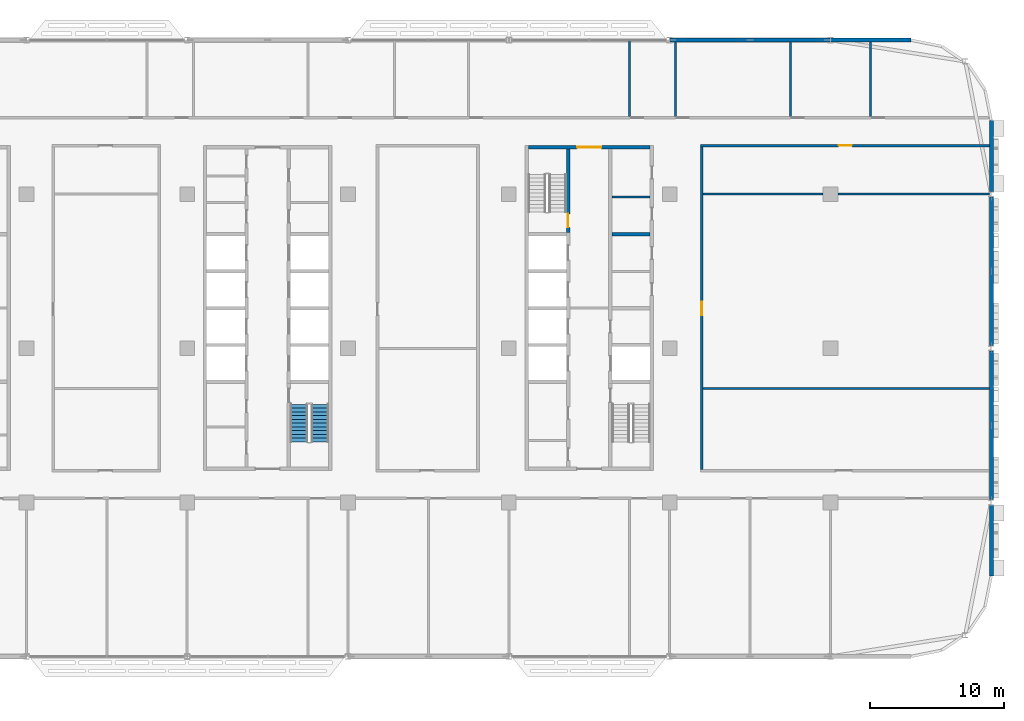
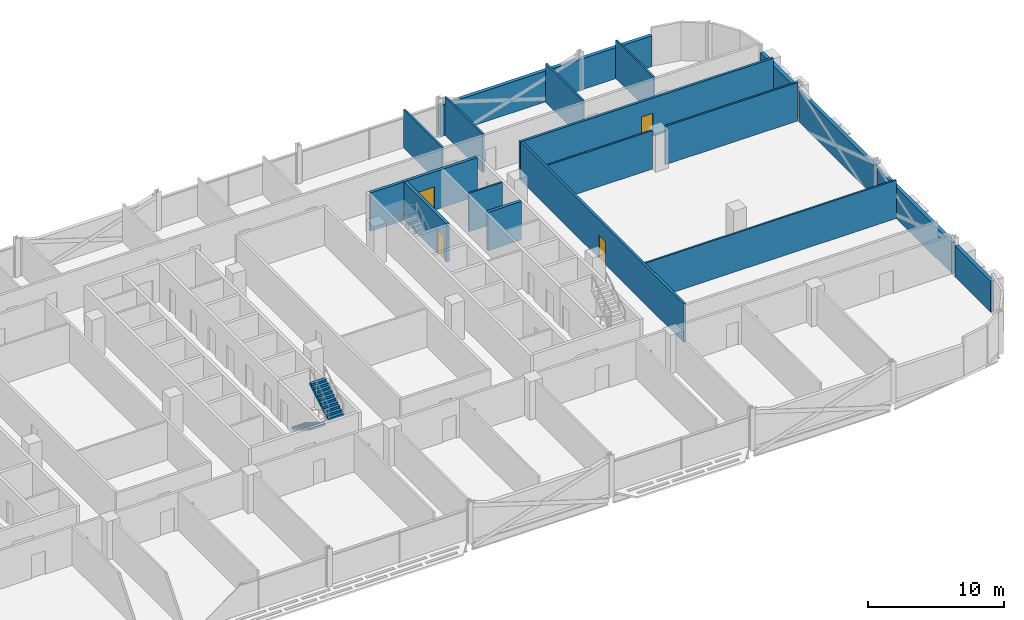
# One storey, part 18 of 30: 19 walls, 4 doors, 2 stair flights, 4 openings, 1 element without a shape of its own.
"""IFC4 building model written with IfcOpenShell, lengths in metres."""

from ifc_helpers import new_model, si_unit, direction, frame, frame_2d, origin, place, context, subcontext, project, spatial, polyline, rectangle, outline, extrude, material, layer, layer_set, type_object, element, fill, aggregate, save


model = new_model("IFC4")

# Units and contexts
model_context = context("Model", 3, precision=1e-05, world=origin(), true_north=direction((0.0, 1.0)))
body_context = subcontext(model_context, "Body", "Model", "MODEL_VIEW")
ifc_project = project(units=[si_unit("LENGTHUNIT", "METRE"), si_unit("AREAUNIT", "SQUARE_METRE"), si_unit("VOLUMEUNIT", "CUBIC_METRE"), si_unit("PLANEANGLEUNIT", "RADIAN"), si_unit("MASSUNIT", "GRAM", prefix="KILO")], contexts=[model_context])

# Site, building, storey
site_placement = place(None, origin())
site = spatial("IfcSite", under=ifc_project, at=site_placement, CompositionType="ELEMENT")
building_placement = place(site_placement, origin())
building = spatial("IfcBuilding", under=site, at=building_placement, Name="Mahtab Terrace Research Tower", CompositionType="ELEMENT")
storey_placement = place(building_placement, frame((0.0, 0.0, 201.5)))
storey = spatial("IfcBuildingStorey", under=building, at=storey_placement, Name="L48", CompositionType="ELEMENT", Elevation=201.5)

# Wall
ifc_material_1 = material(Name="Gypsum board partition")
ifc_layer_1 = layer(ifc_material_1, 0.14990234375)
ifc_layer_set_1 = layer_set([ifc_layer_1], Name="Core partition 150")
wall_type_1 = type_object("IfcWallType", Name="Core partition 150", PredefinedType="PARTITIONING", material=ifc_layer_set_1)
wall_1_placement = place(storey_placement, frame((25.699951171875, 11.27490234375, 0.0), z_axis=(0.0, 0.0, 1.0), x_axis=(1.0, 0.0, 0.0)))
element("IfcWall", 1, at=wall_1_placement, inside=storey, type_object=wall_type_1, Name="Core wall C pEN828", PredefinedType="PARTITIONING", context=body_context, shape_type="SweptSolid", body=[
    extrude(rectangle(XDim=2.85009765625, YDim=0.14990234375, at=frame_2d((1.425048828125, 0.0))), origin(), (0.0, 0.0, 1.0), 3.4599609375),
])

# Wall, opening, door
ifc_material_2 = material(Name="Concrete C70/85", Category="concrete")
ifc_layer_2 = layer(ifc_material_2, 0.25)
ifc_layer_set_2 = layer_set([ifc_layer_2], Name="Core wall 250")
wall_type_2 = type_object("IfcWallType", Name="Core wall 250", PredefinedType="SOLIDWALL", material=ifc_layer_set_2)
wall_2_placement = place(storey_placement, frame((19.449951171875, 15.0, 0.0), z_axis=(0.0, 0.0, 1.0), x_axis=(1.0, 0.0, 0.0)))
wall_2 = element("IfcWall", 2, at=wall_2_placement, inside=storey, type_object=wall_type_2, Name="Core wall C endN", PredefinedType="SOLIDWALL", context=body_context, shape_type="SweptSolid", body=[
    extrude(rectangle(XDim=9.10009765625, YDim=0.25, at=frame_2d((4.550048828125, 0.0))), origin(), (0.0, 0.0, 1.0), 3.4599609375),
])
opening_1_placement = place(wall_2_placement, frame((3.64990234375, 0.0, 0.0)))
opening_1 = element("IfcOpeningElement", 3, at=opening_1_placement, cuts=wall_2, Name="Opening C-N1", PredefinedType="OPENING", context=body_context, shape_type="SweptSolid", body=[
    extrude(rectangle(XDim=1.800048828125, YDim=2.10009765625, at=frame_2d((0.89990234375, 1.050048828125))), frame((0.0, 0.135009765625, 0.0), z_axis=(0.0, -1.0, 0.0), x_axis=(1.0, 0.0, 0.0)), (0.0, 0.0, 1.0), 0.27001953125),
])
ifc_material_3 = material(Name="Steel fire door", Category="steel")
door_type_1 = type_object("IfcDoorType", Name="Lobby double door 1800x2100 1 HR", OperationType="DOUBLE_DOOR_SINGLE_SWING", PredefinedType="DOOR", material=ifc_material_3)
door_1_placement = place(opening_1_placement, origin())
door_1 = element("IfcDoor", 4, at=door_1_placement, inside=storey, type_object=door_type_1, Name="Core entrance door C N", OperationType="DOUBLE_DOOR_SINGLE_SWING", OverallHeight=2.10009765625, OverallWidth=1.800048828125, PredefinedType="DOOR", context=body_context, shape_type="SweptSolid", body=[
    extrude(rectangle(XDim=1.800048828125, YDim=2.10009765625, at=frame_2d((0.89990234375, 1.050048828125))), frame((0.0, 0.02490234375, 0.0), z_axis=(0.0, -1.0, 0.0), x_axis=(1.0, 0.0, 0.0)), (0.0, 0.0, 1.0), 0.050048828125),
])
fill(opening_1, door_1)

wall_3_placement = place(storey_placement, frame((22.425048828125, 14.875, 0.0), z_axis=(0.0, 0.0, 1.0), x_axis=(0.0, -1.0, 0.0)))
wall_3 = element("IfcWall", 5, at=wall_3_placement, inside=storey, type_object=wall_type_2, Name="Core wall C innerWN", PredefinedType="SOLIDWALL", context=body_context, shape_type="SweptSolid", body=[
    extrude(rectangle(XDim=6.25, YDim=0.25, at=frame_2d((3.125, 0.0))), origin(), (0.0, 0.0, 1.0), 3.4599609375),
])
opening_2_placement = place(wall_3_placement, frame((4.85009765625, 0.0, 0.0)))
opening_2 = element("IfcOpeningElement", 6, at=opening_2_placement, cuts=wall_3, Name="Opening C-ST3", PredefinedType="OPENING", context=body_context, shape_type="SweptSolid", body=[
    extrude(rectangle(XDim=1.0, YDim=2.10009765625, at=frame_2d((0.5, 1.050048828125))), frame((0.0, 0.135009765625, 0.0), z_axis=(0.0, -1.0, 0.0), x_axis=(1.0, 0.0, 0.0)), (0.0, 0.0, 1.0), 0.27001953125),
])
door_type_2 = type_object("IfcDoorType", Name="Stair door 1000x2100 1.5 HR", OperationType="NOTDEFINED", PredefinedType="DOOR", material=ifc_material_3)
door_2_placement = place(opening_2_placement, origin())
door_2 = element("IfcDoor", 7, at=door_2_placement, inside=storey, type_object=door_type_2, Name="Stair door ST3 L48", OperationType="SINGLE_SWING_RIGHT", OverallHeight=2.10009765625, OverallWidth=1.0, PredefinedType="DOOR", context=body_context, shape_type="SweptSolid", body=[
    extrude(rectangle(XDim=1.0, YDim=2.10009765625, at=frame_2d((0.5, 1.050048828125))), frame((0.0, 0.02490234375, 0.0), z_axis=(0.0, -1.0, 0.0), x_axis=(1.0, 0.0, 0.0)), (0.0, 0.0, 1.0), 0.050048828125),
])
fill(opening_2, door_2)

# Walls
wall_4_placement = place(storey_placement, frame((25.699951171875, 8.5, 0.0), z_axis=(0.0, 0.0, 1.0), x_axis=(1.0, 0.0, 0.0)))
element("IfcWall", 8, at=wall_4_placement, inside=storey, type_object=wall_type_2, Name="Core wall C divE4", PredefinedType="SOLIDWALL", context=body_context, shape_type="SweptSolid", body=[
    extrude(rectangle(XDim=2.85009765625, YDim=0.25, at=frame_2d((1.425048828125, 0.0))), origin(), (0.0, 0.0, 1.0), 3.4599609375),
])
ifc_material_4 = material(Name="Black aluminium cladding panel", Category="aluminium")
ifc_layer_3 = layer(ifc_material_4, 0.300048828125)
ifc_layer_set_3 = layer_set([ifc_layer_3], Name="Opaque facade wall 300")
wall_type_3 = type_object("IfcWallType", Name="Opaque facade wall 300", PredefinedType="NOTDEFINED", material=ifc_layer_set_3)
wall_5_placement = place(storey_placement, frame((48.0, 23.0, 0.0), z_axis=(0.0, 0.0, 1.0), x_axis=(-1.0, 0.0, 0.0)))
element("IfcWall", 9, at=wall_5_placement, inside=storey, type_object=wall_type_3, Name="Opaque facade wall L48 N3", PredefinedType="NOTDEFINED", context=body_context, shape_type="SweptSolid", body=[
    extrude(rectangle(XDim=5.987548828125, YDim=0.300048828125, at=frame_2d((2.99365234375, 0.0))), origin(), (0.0, 0.0, 1.0), 2.78173828125),
])
wall_6_placement = place(storey_placement, frame((41.987548828125, 23.0, 0.0), z_axis=(0.0, 0.0, 1.0), x_axis=(-1.0, 0.0, 0.0)))
element("IfcWall", 10, at=wall_6_placement, inside=storey, type_object=wall_type_3, Name="Opaque facade wall L48 N4", PredefinedType="NOTDEFINED", context=body_context, shape_type="SweptSolid", body=[
    extrude(rectangle(XDim=11.97509765625, YDim=0.300048828125, at=frame_2d((5.987548828125, 0.0))), origin(), (0.0, 0.0, 1.0), 2.78173828125),
])
wall_7_placement = place(storey_placement, frame((54.0, -17.0, 0.0), z_axis=(0.0, 0.0, 1.0), x_axis=(0.0, 1.0, 0.0)))
element("IfcWall", 11, at=wall_7_placement, inside=storey, type_object=wall_type_3, Name="Opaque facade wall L48 E35", PredefinedType="NOTDEFINED", context=body_context, shape_type="SweptSolid", body=[
    extrude(rectangle(XDim=5.300048828125, YDim=0.300048828125, at=frame_2d((2.64990234375, 0.0))), origin(), (0.0, 0.0, 1.0), 2.78173828125),
])
for number, where, z_axis, x_axis, name in (
    (12, (54.0, -11.300048828125, 0.0), (0.0, 0.0, 1.0), (0.0, 1.0, 0.0), "Opaque facade wall L48 E36"),
    (13, (54.0, 0.199951171875, 0.0), (0.0, 0.0, 1.0), (0.0, 1.0, 0.0), "Opaque facade wall L48 E37"),
):
    element("IfcWall", number, at=place(storey_placement, frame(where, z_axis=z_axis, x_axis=x_axis)), inside=storey, type_object=wall_type_3, Name=name, PredefinedType="NOTDEFINED", context=body_context, shape_type="SweptSolid", body=[
        extrude(rectangle(XDim=11.10009765625, YDim=0.300048828125, at=frame_2d((5.550048828125, 0.0))), origin(), (0.0, 0.0, 1.0), 2.78173828125),
    ])
wall_8_placement = place(storey_placement, frame((54.0, 11.699951171875, 0.0), z_axis=(0.0, 0.0, 1.0), x_axis=(0.0, 1.0, 0.0)))
element("IfcWall", 14, at=wall_8_placement, inside=storey, type_object=wall_type_3, Name="Opaque facade wall L48 E38", PredefinedType="NOTDEFINED", context=body_context, shape_type="SweptSolid", body=[
    extrude(rectangle(XDim=5.300048828125, YDim=0.300048828125, at=frame_2d((2.64990234375, 0.0))), origin(), (0.0, 0.0, 1.0), 2.78173828125),
])

# Wall, opening, door
ifc_material_5 = material(Name="Gypsum board corridor wall on steel studs", Category="steel")
ifc_layer_4 = layer(ifc_material_5, 0.199951171875)
ifc_layer_set_4 = layer_set([ifc_layer_4], Name="WALL CORRIDOR 200")
wall_type_4 = type_object("IfcWallType", Name="WALL CORRIDOR 200", PredefinedType="PARTITIONING", material=ifc_layer_set_4)
wall_9_placement = place(storey_placement, frame((32.300048828125, 15.125, 0.0), z_axis=(0.0, 0.0, 1.0), x_axis=(1.0, 0.0, 0.0)))
wall_9 = element("IfcWall", 15, at=wall_9_placement, inside=storey, type_object=wall_type_4, Name="L48-W023", PredefinedType="PARTITIONING", context=body_context, shape_type="SweptSolid", body=[
    extrude(rectangle(XDim=21.550048828125, YDim=0.199951171875, at=frame_2d((10.77490234375, 0.0))), origin(), (0.0, 0.0, 1.0), 3.4599609375),
])
opening_3_placement = place(wall_9_placement, frame((10.300048828125, 0.0, 0.0)))
opening_3 = element("IfcOpeningElement", 16, at=opening_3_placement, cuts=wall_9, Name="Opening L48-125", PredefinedType="OPENING", context=body_context, shape_type="SweptSolid", body=[
    extrude(rectangle(XDim=1.0, YDim=2.10009765625, at=frame_2d((0.5, 1.050048828125))), frame((0.0, 0.10986328125, 0.0), z_axis=(0.0, -1.0, 0.0), x_axis=(1.0, 0.0, 0.0)), (0.0, 0.0, 1.0), 0.219970703125),
])
ifc_material_6 = material(Name="Timber door leaf in steel frame", Category="steel")
door_type_3 = type_object("IfcDoorType", Name="DOOR 1000X2100 FD30S", OperationType="SINGLE_SWING_LEFT", PredefinedType="DOOR", material=ifc_material_6)
door_3_placement = place(opening_3_placement, origin())
door_3 = element("IfcDoor", 17, at=door_3_placement, inside=storey, type_object=door_type_3, Name="Door L48-125", OperationType="SINGLE_SWING_LEFT", OverallHeight=2.10009765625, OverallWidth=1.0, PredefinedType="DOOR", context=body_context, shape_type="SweptSolid", body=[
    extrude(rectangle(XDim=1.0, YDim=2.10009765625, at=frame_2d((0.5, 1.050048828125))), frame((0.0, 0.02490234375, 0.0), z_axis=(0.0, -1.0, 0.0), x_axis=(1.0, 0.0, 0.0)), (0.0, 0.0, 1.0), 0.050048828125),
])
fill(opening_3, door_3)

wall_10_placement = place(storey_placement, frame((32.39990234375, -9.02490234375, 0.0), z_axis=(0.0, 0.0, 1.0), x_axis=(0.0, 1.0, 0.0)))
wall_10 = element("IfcWall", 18, at=wall_10_placement, inside=storey, type_object=wall_type_4, Name="L48-W052", PredefinedType="PARTITIONING", context=body_context, shape_type="SweptSolid", body=[
    extrude(rectangle(XDim=24.0498046875, YDim=0.199951171875, at=frame_2d((12.02490234375, 0.0))), origin(), (0.0, 0.0, 1.0), 3.4599609375),
])
opening_4_placement = place(wall_10_placement, frame((11.5, 0.0, 0.0)))
opening_4 = element("IfcOpeningElement", 19, at=opening_4_placement, cuts=wall_10, Name="Opening L48-121", PredefinedType="OPENING", context=body_context, shape_type="SweptSolid", body=[
    extrude(rectangle(XDim=1.0, YDim=2.10009765625, at=frame_2d((0.5, 1.050048828125))), frame((0.0, 0.10986328125, 0.0), z_axis=(0.0, -1.0, 0.0), x_axis=(1.0, 0.0, 0.0)), (0.0, 0.0, 1.0), 0.219970703125),
])
door_4_placement = place(opening_4_placement, origin())
door_4 = element("IfcDoor", 20, at=door_4_placement, inside=storey, type_object=door_type_3, Name="Door L48-121", OperationType="SINGLE_SWING_RIGHT", OverallHeight=2.10009765625, OverallWidth=1.0, PredefinedType="DOOR", context=body_context, shape_type="SweptSolid", body=[
    extrude(rectangle(XDim=1.0, YDim=2.10009765625, at=frame_2d((0.5, 1.050048828125))), frame((0.0, 0.02490234375, 0.0), z_axis=(0.0, -1.0, 0.0), x_axis=(1.0, 0.0, 0.0)), (0.0, 0.0, 1.0), 0.050048828125),
])
fill(opening_4, door_4)

# Walls
ifc_material_7 = material(Name="Gypsum board partition on steel studs", Category="steel")
ifc_layer_5 = layer(ifc_material_7, 0.14990234375)
ifc_layer_set_5 = layer_set([ifc_layer_5], Name="WALL PARTITION 150")
wall_type_5 = type_object("IfcWallType", Name="WALL PARTITION 150", PredefinedType="PARTITIONING", material=ifc_layer_set_5)
wall_11_placement = place(storey_placement, frame((32.5, -3.0, 0.0), z_axis=(0.0, 0.0, 1.0), x_axis=(1.0, 0.0, 0.0)))
element("IfcWall", 21, at=wall_11_placement, inside=storey, type_object=wall_type_5, Name="L48-W014", PredefinedType="PARTITIONING", context=body_context, shape_type="SweptSolid", body=[
    extrude(rectangle(XDim=21.35009765625, YDim=0.14990234375, at=frame_2d((10.675048828125, 0.0))), origin(), (0.0, 0.0, 1.0), 3.4599609375),
])
wall_12_placement = place(storey_placement, frame((32.5, 11.5, 0.0), z_axis=(0.0, 0.0, 1.0), x_axis=(1.0, 0.0, 0.0)))
element("IfcWall", 22, at=wall_12_placement, inside=storey, type_object=wall_type_5, Name="L48-W018", PredefinedType="PARTITIONING", context=body_context, shape_type="SweptSolid", body=[
    extrude(rectangle(XDim=8.949951171875, YDim=0.14990234375, at=frame_2d((4.47509765625, 0.0))), origin(), (0.0, 0.0, 1.0), 3.4599609375),
])
wall_13_placement = place(storey_placement, frame((42.550048828125, 11.5, 0.0), z_axis=(0.0, 0.0, 1.0), x_axis=(1.0, 0.0, 0.0)))
element("IfcWall", 23, at=wall_13_placement, inside=storey, type_object=wall_type_5, Name="L48-W019", PredefinedType="PARTITIONING", context=body_context, shape_type="SweptSolid", body=[
    extrude(rectangle(XDim=11.300048828125, YDim=0.14990234375, at=frame_2d((5.64990234375, 0.0))), origin(), (0.0, 0.0, 1.0), 3.4599609375),
])
wall_14_placement = place(storey_placement, frame((27.0, 17.300048828125, 0.0), z_axis=(0.0, 0.0, 1.0), x_axis=(0.0, 1.0, 0.0)))
element("IfcWall", 24, at=wall_14_placement, inside=storey, type_object=wall_type_5, Name="L48-W049", PredefinedType="PARTITIONING", context=body_context, shape_type="SweptSolid", body=[
    extrude(rectangle(XDim=5.675048828125, YDim=0.14990234375, at=frame_2d((2.83740234375, 0.0))), origin(), (0.0, 0.0, 1.0), 3.4599609375),
])
for number, where, z_axis, x_axis, name in (
    (25, (30.449951171875, 17.300048828125, 0.0), (0.0, 0.0, 1.0), (0.0, 1.0, 0.0), "L48-W051"),
    (26, (39.0, 17.300048828125, 0.0), (0.0, 0.0, 1.0), (0.0, 1.0, 0.0), "L48-W054"),
    (27, (45.0, 17.300048828125, 0.0), (0.0, 0.0, 1.0), (0.0, 1.0, 0.0), "L48-W056"),
):
    element("IfcWall", number, at=place(storey_placement, frame(where, z_axis=z_axis, x_axis=x_axis)), inside=storey, type_object=wall_type_5, Name=name, PredefinedType="PARTITIONING", context=body_context, shape_type="SweptSolid", body=[
        extrude(rectangle(XDim=5.550048828125, YDim=0.14990234375, at=frame_2d((2.77490234375, 0.0))), origin(), (0.0, 0.0, 1.0), 3.4599609375),
    ])

# Stair, stair flights
ifc_material_8 = material(Name="Exit stair half-turn")
stair_type = type_object("IfcStairType", Name="Exit stair half-turn", PredefinedType="HALF_TURN_STAIR", material=ifc_material_8)
stair_placement = place(storey_placement, origin())
stair = element("IfcStair", 28, at=stair_placement, inside=storey, type_object=stair_type, Name="L48 Protected exit stair ST2", PredefinedType="HALF_TURN_STAIR")
ifc_material_9 = material(Name="Concrete C40/50", Category="concrete")
stair_flight_type = type_object("IfcStairFlightType", Name="Exit stair flight 1300", PredefinedType="STRAIGHT", material=ifc_material_9)
stair_flight_1_placement = place(storey_placement, frame((2.35009765625, -4.175048828125, 0.0), z_axis=(0.0, 0.0, 1.0), x_axis=(0.0, -1.0, 0.0)))
stair_flight_1 = element("IfcStairFlight", 29, at=stair_flight_1_placement, type_object=stair_flight_type, Name="ST2 flight 1", NumberOfRisers=11, NumberOfTreads=10, PredefinedType="STRAIGHT", RiserHeight=0.172727273, TreadLength=0.28, context=body_context, shape_type="SweptSolid", body=[
    extrude(outline(polyline([(0.0, 0.0), (0.0, 0.172607421875), (0.280029296875, 0.172607421875), (0.280029296875, 0.345458984375), (0.56005859375, 0.345458984375), (0.56005859375, 0.51806640625), (0.840087890625, 0.51806640625), (0.840087890625, 0.69091796875), (1.1201171875, 0.69091796875), (1.1201171875, 0.863525390625), (1.39990234375, 0.863525390625), (1.39990234375, 1.036376953125), (1.679931640625, 1.036376953125), (1.679931640625, 1.208984375), (1.9599609375, 1.208984375), (1.9599609375, 1.3818359375), (2.239990234375, 1.3818359375), (2.239990234375, 1.554443359375), (2.52001953125, 1.554443359375), (2.52001953125, 1.727294921875), (2.800048828125, 1.727294921875), (2.800048828125, 1.89990234375), (2.800048828125, 1.551025390625), (0.285400390625, 0.0), (0.0, 0.0)])), frame((0.0, 0.64990234375, 0.0), z_axis=(0.0, -1.0, 0.0), x_axis=(1.0, 0.0, 0.0)), (0.0, 0.0, 1.0), 1.300048828125),
])
stair_flight_2_placement = place(storey_placement, frame((3.89990234375, -6.97509765625, 1.89990234375), z_axis=(0.0, 0.0, 1.0), x_axis=(0.0, 1.0, 0.0)))
stair_flight_2 = element("IfcStairFlight", 30, at=stair_flight_2_placement, type_object=stair_flight_type, Name="ST2 flight 2", NumberOfRisers=11, NumberOfTreads=10, PredefinedType="STRAIGHT", RiserHeight=0.172727273, TreadLength=0.28, context=body_context, shape_type="SweptSolid", body=[
    extrude(outline(polyline([(0.0, 0.0), (0.0, 0.172607421875), (0.280029296875, 0.172607421875), (0.280029296875, 0.345458984375), (0.56005859375, 0.345458984375), (0.56005859375, 0.51806640625), (0.840087890625, 0.51806640625), (0.840087890625, 0.69091796875), (1.1201171875, 0.69091796875), (1.1201171875, 0.863525390625), (1.39990234375, 0.863525390625), (1.39990234375, 1.036376953125), (1.679931640625, 1.036376953125), (1.679931640625, 1.208984375), (1.9599609375, 1.208984375), (1.9599609375, 1.3818359375), (2.239990234375, 1.3818359375), (2.239990234375, 1.554443359375), (2.52001953125, 1.554443359375), (2.52001953125, 1.727294921875), (2.800048828125, 1.727294921875), (2.800048828125, 1.89990234375), (2.800048828125, 1.551025390625), (0.285400390625, 0.0), (0.0, 0.0)])), frame((0.0, 0.64990234375, 0.0), z_axis=(0.0, -1.0, 0.0), x_axis=(1.0, 0.0, 0.0)), (0.0, 0.0, 1.0), 1.300048828125),
])
aggregate(stair, [stair_flight_1, stair_flight_2])

save(model, "model.ifc")
